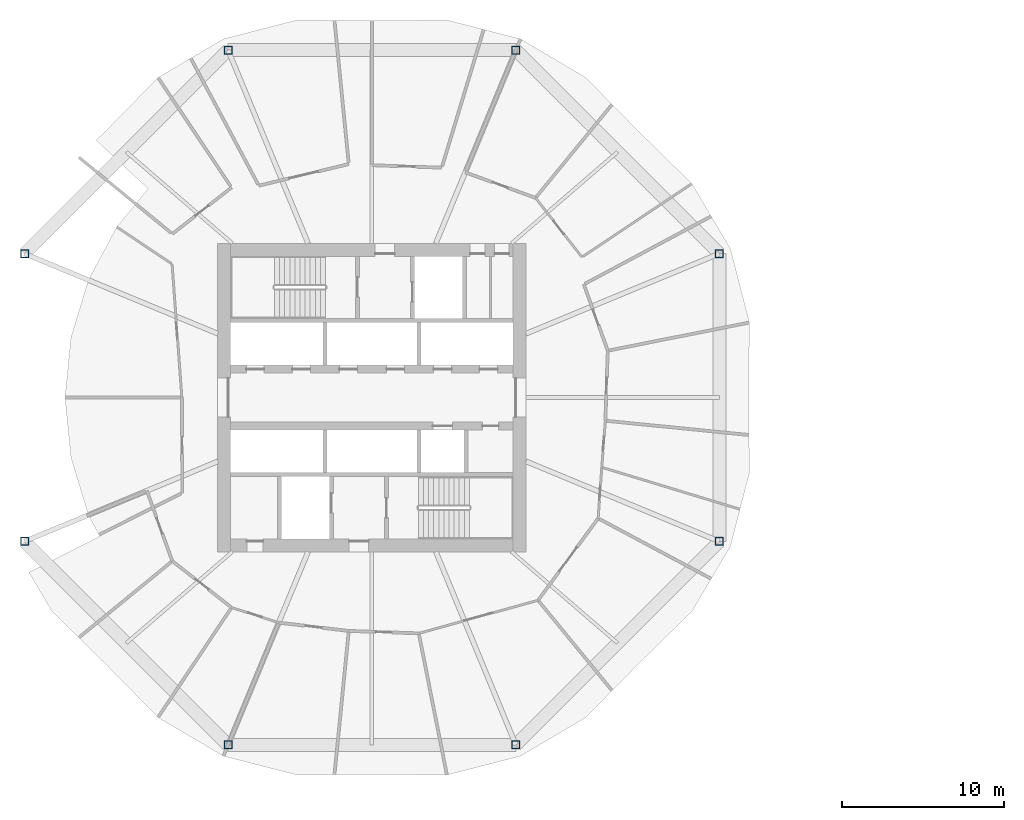
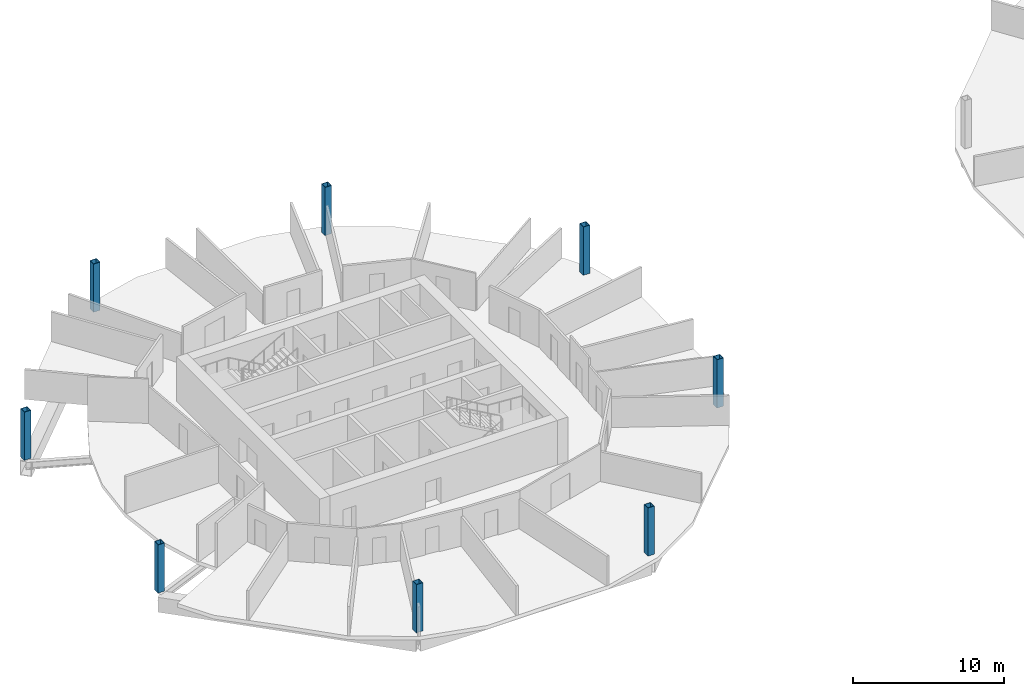
# One storey, part 1 of 10: 8 columns.
"""IFC4 building model written with IfcOpenShell, lengths in metres."""

from ifc_helpers import new_model, si_unit, direction, frame, origin, origin_2d, place, context, subcontext, project, spatial, hollow_rectangle, extrude, material, material_profile, profile_set, type_object, element, save


model = new_model("IFC4")

# Units and contexts
model_context = context("Model", 3, precision=1e-05, world=origin(), true_north=direction((0.0, 1.0)))
body_context = subcontext(model_context, "Body", "Model", "MODEL_VIEW")
ifc_project = project(units=[si_unit("LENGTHUNIT", "METRE"), si_unit("AREAUNIT", "SQUARE_METRE"), si_unit("VOLUMEUNIT", "CUBIC_METRE"), si_unit("PLANEANGLEUNIT", "RADIAN"), si_unit("MASSUNIT", "GRAM", prefix="KILO")], contexts=[model_context])

# Site, building, storey
site_placement = place(None, origin())
site = spatial("IfcSite", under=ifc_project, at=site_placement, CompositionType="ELEMENT")
building_placement = place(site_placement, origin())
building = spatial("IfcBuilding", under=site, at=building_placement, Name="Ogive Gate Towers", CompositionType="ELEMENT")
storey_placement = place(building_placement, frame((0.0, 0.0, 103.5)))
storey = spatial("IfcBuildingStorey", under=building, at=storey_placement, Name="L24", CompositionType="ELEMENT", Elevation=103.5)

# Columns
ifc_material = material(Name="Steel SM460", Category="steel")
ifc_material_profile = material_profile(ifc_material, hollow_rectangle(XDim=0.5, YDim=0.5, WallThickness=0.030029296875, at=origin_2d()), Name="BX 500x500x30")
ifc_profile_set = profile_set([ifc_material_profile], Name="Steel SM460")
column_type = type_object("IfcColumnType", Name="Perimeter post BX 500x500x30", PredefinedType="COLUMN", material=ifc_profile_set)
for number, where, z_axis, x_axis, name in (
    (1, (-14.60302734375, 8.863037109375, 0.0), (0.0, 0.0, 1.0), (1.0, 0.0, 0.0), "T1/L24/SCL001"),
    (2, (-27.136962890625, 21.39697265625, 0.0), (0.0, 0.0, 1.0), (1.0, 0.0, 0.0), "T1/L24/SCL002"),
    (3, (-44.863037109375, 21.39697265625, 0.0), (0.0, 0.0, 1.0), (1.0, 0.0, 0.0), "T1/L24/SCL003"),
    (4, (-57.39697265625, 8.863037109375, 0.0), (0.0, 0.0, 1.0), (1.0, 0.0, 0.0), "T1/L24/SCL004"),
    (5, (-57.39697265625, -8.863037109375, 0.0), (0.0, 0.0, 1.0), (1.0, 0.0, 0.0), "T1/L24/SCL005"),
    (6, (-44.863037109375, -21.39697265625, 0.0), (0.0, 0.0, 1.0), (1.0, 0.0, 0.0), "T1/L24/SCL006"),
    (7, (-27.136962890625, -21.39697265625, 0.0), (0.0, 0.0, 1.0), (1.0, 0.0, 0.0), "T1/L24/SCL007"),
    (8, (-14.60302734375, -8.863037109375, 0.0), (0.0, 0.0, 1.0), (1.0, 0.0, 0.0), "T1/L24/SCL008"),
):
    element("IfcColumn", number, at=place(storey_placement, frame(where, z_axis=z_axis, x_axis=x_axis)), inside=storey, type_object=column_type, Name=name, PredefinedType="COLUMN", context=body_context, shape_type="SweptSolid", body=[
        extrude(hollow_rectangle(XDim=0.5, YDim=0.5, WallThickness=0.030029296875, at=origin_2d()), origin(), (0.0, 0.0, 1.0), 3.89990234375),
    ])

save(model, "model.ifc")
